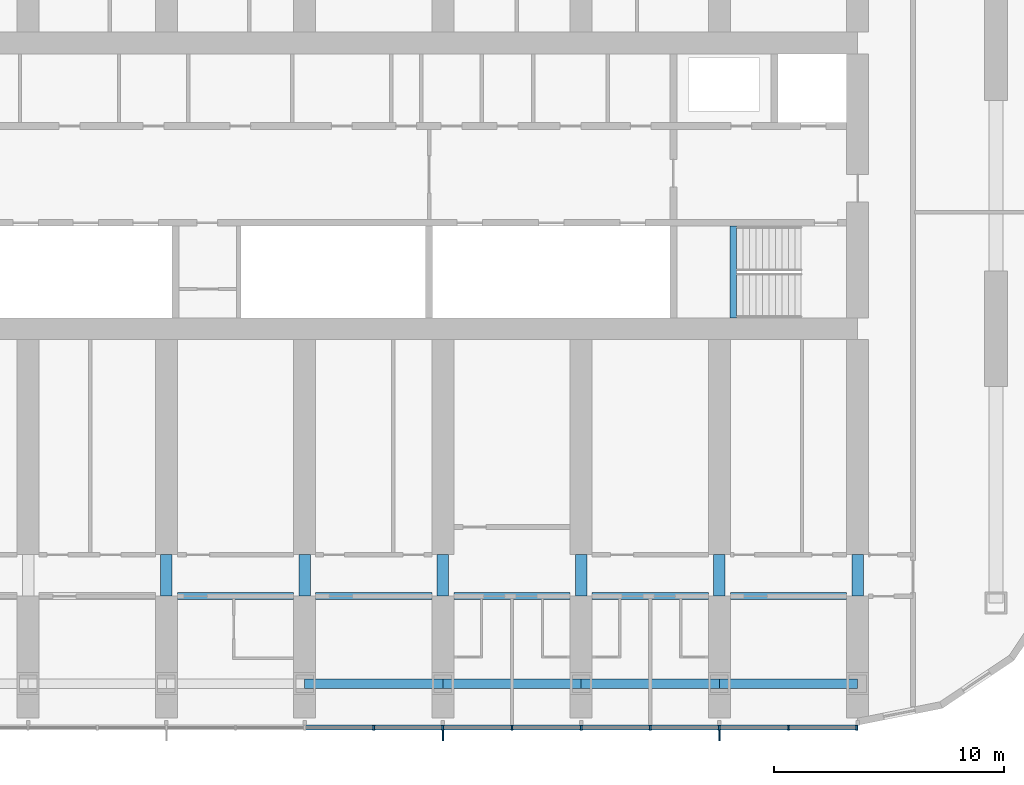
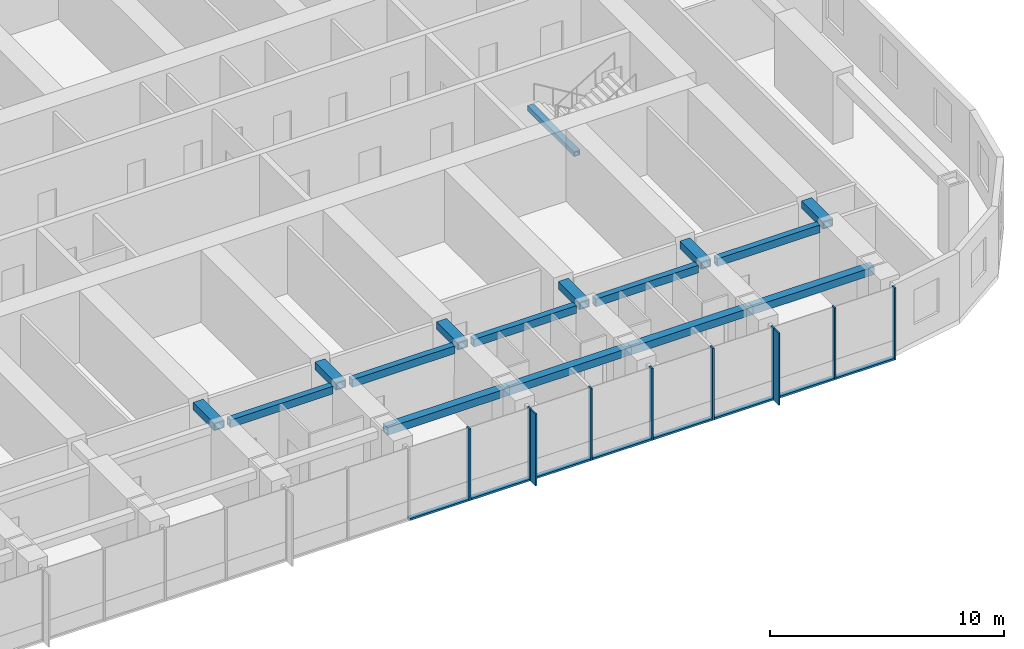
# One storey, part 3 of 21: 18 members, 16 beams, 1 element without a shape of its own.
"""IFC4 building model written with IfcOpenShell, lengths in metres."""

from ifc_helpers import new_model, si_unit, direction, frame, origin, origin_2d, place, context, subcontext, project, spatial, rectangle, hollow_rectangle, extrude, material, material_profile, profile_set, type_object, element, aggregate, save


model = new_model("IFC4")

# Units and contexts
model_context = context("Model", 3, precision=1e-05, world=origin(), true_north=direction((0.0, 1.0)))
body_context = subcontext(model_context, "Body", "Model", "MODEL_VIEW")
ifc_project = project(units=[si_unit("LENGTHUNIT", "METRE"), si_unit("AREAUNIT", "SQUARE_METRE"), si_unit("VOLUMEUNIT", "CUBIC_METRE"), si_unit("PLANEANGLEUNIT", "RADIAN"), si_unit("MASSUNIT", "GRAM", prefix="KILO")], contexts=[model_context])

# Site, building, storey
site_placement = place(None, origin())
site = spatial("IfcSite", under=ifc_project, at=site_placement, CompositionType="ELEMENT")
building_placement = place(site_placement, origin())
building = spatial("IfcBuilding", under=site, at=building_placement, Name="Orbita Commons", CompositionType="ELEMENT")
storey_placement = place(building_placement, frame((0.0, 0.0, 125.64990234375)))
storey = spatial("IfcBuildingStorey", under=building, at=storey_placement, Name="L31", CompositionType="ELEMENT", Elevation=125.64990234375)

# Curtain wall, members
ifc_material_1 = material(Name="Anodised aluminium frame, pale silver", Category="aluminium")
curtain_wall_type = type_object("IfcCurtainWallType", Name="Unitised curtain wall CW-T, vision and spandrel", PredefinedType="NOTDEFINED", material=ifc_material_1)
curtain_wall_placement = place(storey_placement, origin())
curtain_wall = element("IfcCurtainWall", 1, at=curtain_wall_placement, inside=storey, type_object=curtain_wall_type, Name="Curtain wall south L31", PredefinedType="NOTDEFINED")
ifc_material_2 = material(Name="Anodised aluminium, pale silver", Category="aluminium")
ifc_material_profile_1 = material_profile(ifc_material_2, rectangle(XDim=0.080078125, YDim=0.219970703125, at=origin_2d()), Name="AL 80x220")
ifc_profile_set_1 = profile_set([ifc_material_profile_1], Name="Anodised aluminium, pale silver")
member_type_1 = type_object("IfcMemberType", Name="Curtain wall mullion 80x220", PredefinedType="MULLION", material=ifc_profile_set_1)
member_1_placement = place(storey_placement, frame((45.0, 8.489990234375, -0.25), z_axis=(0.0, 0.0, 1.0), x_axis=(1.0, 0.0, 0.0)))
member_1 = element("IfcMember", 2, at=member_1_placement, type_object=member_type_1, Name="Mullion 12 CW-L31-S", PredefinedType="MULLION", context=body_context, shape_type="SweptSolid", body=[
    extrude(rectangle(XDim=0.080078125, YDim=0.219970703125, at=origin_2d()), origin(), (0.0, 0.0, 1.0), 3.75),
])
member_2_placement = place(storey_placement, frame((48.0, 8.489990234375, -0.25), z_axis=(0.0, 0.0, 1.0), x_axis=(1.0, 0.0, 0.0)))
member_2 = element("IfcMember", 3, at=member_2_placement, type_object=member_type_1, Name="Mullion 13 CW-L31-S", PredefinedType="MULLION", context=body_context, shape_type="SweptSolid", body=[
    extrude(rectangle(XDim=0.080078125, YDim=0.219970703125, at=origin_2d()), origin(), (0.0, 0.0, 1.0), 3.75),
])
member_3_placement = place(storey_placement, frame((51.0, 8.489990234375, -0.25), z_axis=(0.0, 0.0, 1.0), x_axis=(1.0, 0.0, 0.0)))
member_3 = element("IfcMember", 4, at=member_3_placement, type_object=member_type_1, Name="Mullion 14 CW-L31-S", PredefinedType="MULLION", context=body_context, shape_type="SweptSolid", body=[
    extrude(rectangle(XDim=0.080078125, YDim=0.219970703125, at=origin_2d()), origin(), (0.0, 0.0, 1.0), 3.75),
])
member_4_placement = place(storey_placement, frame((54.0, 8.489990234375, -0.25), z_axis=(0.0, 0.0, 1.0), x_axis=(1.0, 0.0, 0.0)))
member_4 = element("IfcMember", 5, at=member_4_placement, type_object=member_type_1, Name="Mullion 15 CW-L31-S", PredefinedType="MULLION", context=body_context, shape_type="SweptSolid", body=[
    extrude(rectangle(XDim=0.080078125, YDim=0.219970703125, at=origin_2d()), origin(), (0.0, 0.0, 1.0), 3.75),
])
member_5_placement = place(storey_placement, frame((57.0, 8.489990234375, -0.25), z_axis=(0.0, 0.0, 1.0), x_axis=(1.0, 0.0, 0.0)))
member_5 = element("IfcMember", 6, at=member_5_placement, type_object=member_type_1, Name="Mullion 16 CW-L31-S", PredefinedType="MULLION", context=body_context, shape_type="SweptSolid", body=[
    extrude(rectangle(XDim=0.080078125, YDim=0.219970703125, at=origin_2d()), origin(), (0.0, 0.0, 1.0), 3.75),
])
member_6_placement = place(storey_placement, frame((60.0, 8.489990234375, -0.25), z_axis=(0.0, 0.0, 1.0), x_axis=(1.0, 0.0, 0.0)))
member_6 = element("IfcMember", 7, at=member_6_placement, type_object=member_type_1, Name="Mullion 17 CW-L31-S", PredefinedType="MULLION", context=body_context, shape_type="SweptSolid", body=[
    extrude(rectangle(XDim=0.080078125, YDim=0.219970703125, at=origin_2d()), origin(), (0.0, 0.0, 1.0), 3.75),
])
member_7_placement = place(storey_placement, frame((63.0, 8.489990234375, -0.25), z_axis=(0.0, 0.0, 1.0), x_axis=(1.0, 0.0, 0.0)))
member_7 = element("IfcMember", 8, at=member_7_placement, type_object=member_type_1, Name="Mullion 18 CW-L31-S", PredefinedType="MULLION", context=body_context, shape_type="SweptSolid", body=[
    extrude(rectangle(XDim=0.080078125, YDim=0.219970703125, at=origin_2d()), origin(), (0.0, 0.0, 1.0), 3.75),
])
member_8_placement = place(storey_placement, frame((65.9599609375, 8.489990234375, -0.25), z_axis=(0.0, 0.0, 1.0), x_axis=(1.0, 0.0, 0.0)))
member_8 = element("IfcMember", 9, at=member_8_placement, type_object=member_type_1, Name="Mullion 19 CW-L31-S", PredefinedType="MULLION", context=body_context, shape_type="SweptSolid", body=[
    extrude(rectangle(XDim=0.080078125, YDim=0.219970703125, at=origin_2d()), origin(), (0.0, 0.0, 1.0), 3.75),
])
ifc_material_3 = material(Name="Anodised aluminium, pale silver", Category="aluminium")
ifc_material_profile_2 = material_profile(ifc_material_3, rectangle(XDim=0.219970703125, YDim=0.10009765625, at=origin_2d()), Name="AL 220x100")
ifc_profile_set_2 = profile_set([ifc_material_profile_2], Name="Anodised aluminium, pale silver")
member_type_2 = type_object("IfcMemberType", Name="Curtain wall stack transom 220x100", PredefinedType="USERDEFINED", material=ifc_profile_set_2)
member_9_placement = place(storey_placement, frame((42.0400390625, 8.489990234375, -0.199951171875), z_axis=(1.0, 0.0, 0.0), x_axis=(0.0, 1.0, 0.0)))
member_9 = element("IfcMember", 10, at=member_9_placement, type_object=member_type_2, Name="Transom 11.1 CW-L31-S", ObjectType="TRANSOM", PredefinedType="USERDEFINED", context=body_context, shape_type="SweptSolid", body=[
    extrude(rectangle(XDim=0.219970703125, YDim=0.10009765625, at=origin_2d()), origin(), (0.0, 0.0, 1.0), 2.919921875),
])
member_10_placement = place(storey_placement, frame((45.0400390625, 8.489990234375, -0.199951171875), z_axis=(1.0, 0.0, 0.0), x_axis=(0.0, 1.0, 0.0)))
member_10 = element("IfcMember", 11, at=member_10_placement, type_object=member_type_2, Name="Transom 12.1 CW-L31-S", ObjectType="TRANSOM", PredefinedType="USERDEFINED", context=body_context, shape_type="SweptSolid", body=[
    extrude(rectangle(XDim=0.219970703125, YDim=0.10009765625, at=origin_2d()), origin(), (0.0, 0.0, 1.0), 2.919921875),
])
member_11_placement = place(storey_placement, frame((48.0400390625, 8.489990234375, -0.199951171875), z_axis=(1.0, 0.0, 0.0), x_axis=(0.0, 1.0, 0.0)))
member_11 = element("IfcMember", 12, at=member_11_placement, type_object=member_type_2, Name="Transom 13.1 CW-L31-S", ObjectType="TRANSOM", PredefinedType="USERDEFINED", context=body_context, shape_type="SweptSolid", body=[
    extrude(rectangle(XDim=0.219970703125, YDim=0.10009765625, at=origin_2d()), origin(), (0.0, 0.0, 1.0), 2.919921875),
])
member_12_placement = place(storey_placement, frame((51.0400390625, 8.489990234375, -0.199951171875), z_axis=(1.0, 0.0, 0.0), x_axis=(0.0, 1.0, 0.0)))
member_12 = element("IfcMember", 13, at=member_12_placement, type_object=member_type_2, Name="Transom 14.1 CW-L31-S", ObjectType="TRANSOM", PredefinedType="USERDEFINED", context=body_context, shape_type="SweptSolid", body=[
    extrude(rectangle(XDim=0.219970703125, YDim=0.10009765625, at=origin_2d()), origin(), (0.0, 0.0, 1.0), 2.919921875),
])
member_13_placement = place(storey_placement, frame((54.0400390625, 8.489990234375, -0.199951171875), z_axis=(1.0, 0.0, 0.0), x_axis=(0.0, 1.0, 0.0)))
member_13 = element("IfcMember", 14, at=member_13_placement, type_object=member_type_2, Name="Transom 15.1 CW-L31-S", ObjectType="TRANSOM", PredefinedType="USERDEFINED", context=body_context, shape_type="SweptSolid", body=[
    extrude(rectangle(XDim=0.219970703125, YDim=0.10009765625, at=origin_2d()), origin(), (0.0, 0.0, 1.0), 2.919921875),
])
member_14_placement = place(storey_placement, frame((57.0400390625, 8.489990234375, -0.199951171875), z_axis=(1.0, 0.0, 0.0), x_axis=(0.0, 1.0, 0.0)))
member_14 = element("IfcMember", 15, at=member_14_placement, type_object=member_type_2, Name="Transom 16.1 CW-L31-S", ObjectType="TRANSOM", PredefinedType="USERDEFINED", context=body_context, shape_type="SweptSolid", body=[
    extrude(rectangle(XDim=0.219970703125, YDim=0.10009765625, at=origin_2d()), origin(), (0.0, 0.0, 1.0), 2.919921875),
])
member_15_placement = place(storey_placement, frame((60.0400390625, 8.489990234375, -0.199951171875), z_axis=(1.0, 0.0, 0.0), x_axis=(0.0, 1.0, 0.0)))
member_15 = element("IfcMember", 16, at=member_15_placement, type_object=member_type_2, Name="Transom 17.1 CW-L31-S", ObjectType="TRANSOM", PredefinedType="USERDEFINED", context=body_context, shape_type="SweptSolid", body=[
    extrude(rectangle(XDim=0.219970703125, YDim=0.10009765625, at=origin_2d()), origin(), (0.0, 0.0, 1.0), 2.919921875),
])
member_16_placement = place(storey_placement, frame((63.0400390625, 8.489990234375, -0.199951171875), z_axis=(1.0, 0.0, 0.0), x_axis=(0.0, 1.0, 0.0)))
member_16 = element("IfcMember", 17, at=member_16_placement, type_object=member_type_2, Name="Transom 18.1 CW-L31-S", ObjectType="TRANSOM", PredefinedType="USERDEFINED", context=body_context, shape_type="SweptSolid", body=[
    extrude(rectangle(XDim=0.219970703125, YDim=0.10009765625, at=origin_2d()), origin(), (0.0, 0.0, 1.0), 2.8798828125),
])

# Beams
ifc_material_4 = material(Name="Steel ASTM A572 Gr 50 welded plate", Category="steel")
ifc_material_profile_3 = material_profile(ifc_material_4, hollow_rectangle(XDim=0.300048828125, YDim=0.25, WallThickness=0.02490234375, at=origin_2d()), Name="BOX 250x300x25")
ifc_profile_set_3 = profile_set([ifc_material_profile_3], Name="Steel ASTM A572 Gr 50 welded plate")
beam_type_1 = type_object("IfcBeamType", Name="Stair landing beam steel BOX 250x300x25", PredefinedType="BEAM", material=ifc_profile_set_3)
beam_placement = place(storey_placement, frame((60.60009765625, 26.260009765625, 1.550048828125), z_axis=(0.0, 1.0, 0.0), x_axis=(-1.0, 0.0, 0.0)))
element("IfcBeam", 18, at=beam_placement, inside=storey, type_object=beam_type_1, Name="Stair S2 landing beam L31 1", PredefinedType="BEAM", context=body_context, shape_type="SweptSolid", body=[
    extrude(hollow_rectangle(XDim=0.300048828125, YDim=0.25, WallThickness=0.02490234375, at=origin_2d()), origin(), (0.0, 0.0, 1.0), 4.0048828125),
])
ifc_material_5 = material(Name="Steel ASTM A572 Gr 50 welded plate", Category="steel")
ifc_material_profile_4 = material_profile(ifc_material_5, hollow_rectangle(XDim=0.300048828125, YDim=0.39990234375, WallThickness=0.0400390625, at=origin_2d()), Name="BOX 400x300x40")
ifc_profile_set_4 = profile_set([ifc_material_profile_4], Name="Steel ASTM A572 Gr 50 welded plate")
beam_type_2 = type_object("IfcBeamType", Name="Steel corridor link BOX 400x300x40", PredefinedType="BEAM", material=ifc_profile_set_4)
for number, where, z_axis, x_axis, name in (
    (19, (36.47509765625, 14.199951171875, 3.300048828125), (1.0, 0.0, 0.0), (0.0, 1.0, 0.0), "Corridor beam SA 7-8 L31"),
    (20, (42.47509765625, 14.199951171875, 3.300048828125), (1.0, 0.0, 0.0), (0.0, 1.0, 0.0), "Corridor beam SA 8-9 L31"),
    (21, (48.47509765625, 14.199951171875, 3.300048828125), (1.0, 0.0, 0.0), (0.0, 1.0, 0.0), "Corridor beam SA 9-10 L31"),
    (22, (54.47509765625, 14.199951171875, 3.300048828125), (1.0, 0.0, 0.0), (0.0, 1.0, 0.0), "Corridor beam SA 10-11 L31"),
    (23, (60.47509765625, 14.199951171875, 3.300048828125), (1.0, 0.0, 0.0), (0.0, 1.0, 0.0), "Corridor beam SA 11-12 L31"),
):
    element("IfcBeam", number, at=place(storey_placement, frame(where, z_axis=z_axis, x_axis=x_axis)), inside=storey, type_object=beam_type_2, Name=name, PredefinedType="BEAM", context=body_context, shape_type="SweptSolid", body=[
        extrude(hollow_rectangle(XDim=0.300048828125, YDim=0.39990234375, WallThickness=0.0400390625, at=origin_2d()), origin(), (0.0, 0.0, 1.0), 5.0498046875),
    ])
ifc_material_6 = material(Name="Steel ASTM A572 Gr 50 welded plate", Category="steel")
ifc_material_profile_5 = material_profile(ifc_material_6, hollow_rectangle(XDim=0.5, YDim=0.39990234375, WallThickness=0.050048828125, at=origin_2d()), Name="BOX 400x500x50")
ifc_profile_set_5 = profile_set([ifc_material_profile_5], Name="Steel ASTM A572 Gr 50 welded plate")
beam_type_3 = type_object("IfcBeamType", Name="Steel coupling link BOX 400x500x50", PredefinedType="LINTEL", material=ifc_profile_set_5)
for number, where, z_axis, x_axis, name in (
    (24, (36.0, 14.199951171875, 3.300048828125), (0.0, 1.0, 0.0), (-1.0, 0.0, 0.0), "Coupling beam 7 south L31"),
    (25, (42.0, 14.199951171875, 3.300048828125), (0.0, 1.0, 0.0), (-1.0, 0.0, 0.0), "Coupling beam 8 south L31"),
    (26, (48.0, 14.199951171875, 3.300048828125), (0.0, 1.0, 0.0), (-1.0, 0.0, 0.0), "Coupling beam 9 south L31"),
    (27, (54.0, 14.199951171875, 3.300048828125), (0.0, 1.0, 0.0), (-1.0, 0.0, 0.0), "Coupling beam 10 south L31"),
    (28, (60.0, 14.199951171875, 3.300048828125), (0.0, 1.0, 0.0), (-1.0, 0.0, 0.0), "Coupling beam 11 south L31"),
    (29, (66.0, 14.199951171875, 3.300048828125), (0.0, 1.0, 0.0), (-1.0, 0.0, 0.0), "Coupling beam 12 south L31"),
):
    element("IfcBeam", number, at=place(storey_placement, frame(where, z_axis=z_axis, x_axis=x_axis)), inside=storey, type_object=beam_type_3, Name=name, PredefinedType="LINTEL", context=body_context, shape_type="SweptSolid", body=[
        extrude(hollow_rectangle(XDim=0.5, YDim=0.39990234375, WallThickness=0.050048828125, at=origin_2d()), origin(), (0.0, 0.0, 1.0), 1.800048828125),
    ])
ifc_material_7 = material(Name="Steel ASTM A572 Gr 50 welded plate", Category="steel")
ifc_material_profile_6 = material_profile(ifc_material_7, hollow_rectangle(XDim=0.39990234375, YDim=0.39990234375, WallThickness=0.0400390625, at=origin_2d()), Name="BOX 400x400x40")
ifc_profile_set_6 = profile_set([ifc_material_profile_6], Name="Steel ASTM A572 Gr 50 welded plate")
beam_type_4 = type_object("IfcBeamType", Name="Steel spandrel BOX 400x400x40", PredefinedType="SPANDREL", material=ifc_profile_set_6)
for number, where, z_axis, x_axis, name in (
    (30, (42.0, 10.39990234375, 3.300048828125), (1.0, 0.0, 0.0), (0.0, 1.0, 0.0), "Spandrel beam B 8-9 L31"),
    (31, (48.0, 10.39990234375, 3.300048828125), (1.0, 0.0, 0.0), (0.0, 1.0, 0.0), "Spandrel beam B 9-10 L31"),
    (32, (54.0, 10.39990234375, 3.300048828125), (1.0, 0.0, 0.0), (0.0, 1.0, 0.0), "Spandrel beam B 10-11 L31"),
    (33, (60.0, 10.39990234375, 3.300048828125), (1.0, 0.0, 0.0), (0.0, 1.0, 0.0), "Spandrel beam B 11-12 L31"),
):
    element("IfcBeam", number, at=place(storey_placement, frame(where, z_axis=z_axis, x_axis=x_axis)), inside=storey, type_object=beam_type_4, Name=name, PredefinedType="SPANDREL", context=body_context, shape_type="SweptSolid", body=[
        extrude(hollow_rectangle(XDim=0.39990234375, YDim=0.39990234375, WallThickness=0.0400390625, at=origin_2d()), origin(), (0.0, 0.0, 1.0), 6.0),
    ])

# Member
ifc_material_8 = material(Name="Anodised aluminium, pale silver", Category="aluminium")
ifc_material_profile_7 = material_profile(ifc_material_8, rectangle(XDim=0.06005859375, YDim=0.449951171875, at=origin_2d()), Name="FIN 60x450")
ifc_profile_set_7 = profile_set([ifc_material_profile_7], Name="Anodised aluminium, pale silver")
member_type_3 = type_object("IfcMemberType", Name="Vertical fin 60x450 pale aluminium", PredefinedType="USERDEFINED", material=ifc_profile_set_7)
member_17_placement = place(storey_placement, frame((48.0, 8.155029296875, -0.25), z_axis=(0.0, 0.0, 1.0), x_axis=(1.0, 0.0, 0.0)))
member_17 = element("IfcMember", 34, at=member_17_placement, type_object=member_type_3, Name="Fin 13 CW-L31-S", ObjectType="FIN", PredefinedType="USERDEFINED", context=body_context, shape_type="SweptSolid", body=[
    extrude(rectangle(XDim=0.06005859375, YDim=0.449951171875, at=origin_2d()), origin(), (0.0, 0.0, 1.0), 3.75),
])

member_18_placement = place(storey_placement, frame((60.0, 8.155029296875, -0.25), z_axis=(0.0, 0.0, 1.0), x_axis=(1.0, 0.0, 0.0)))
member_18 = element("IfcMember", 35, at=member_18_placement, type_object=member_type_3, Name="Fin 17 CW-L31-S", ObjectType="FIN", PredefinedType="USERDEFINED", context=body_context, shape_type="SweptSolid", body=[
    extrude(rectangle(XDim=0.06005859375, YDim=0.449951171875, at=origin_2d()), origin(), (0.0, 0.0, 1.0), 3.75),
])

aggregate(curtain_wall, [member_1, member_2, member_17, member_3, member_4, member_5, member_6, member_18, member_7, member_8, member_9, member_10, member_11, member_12, member_13, member_14, member_15, member_16])

save(model, "model.ifc")
